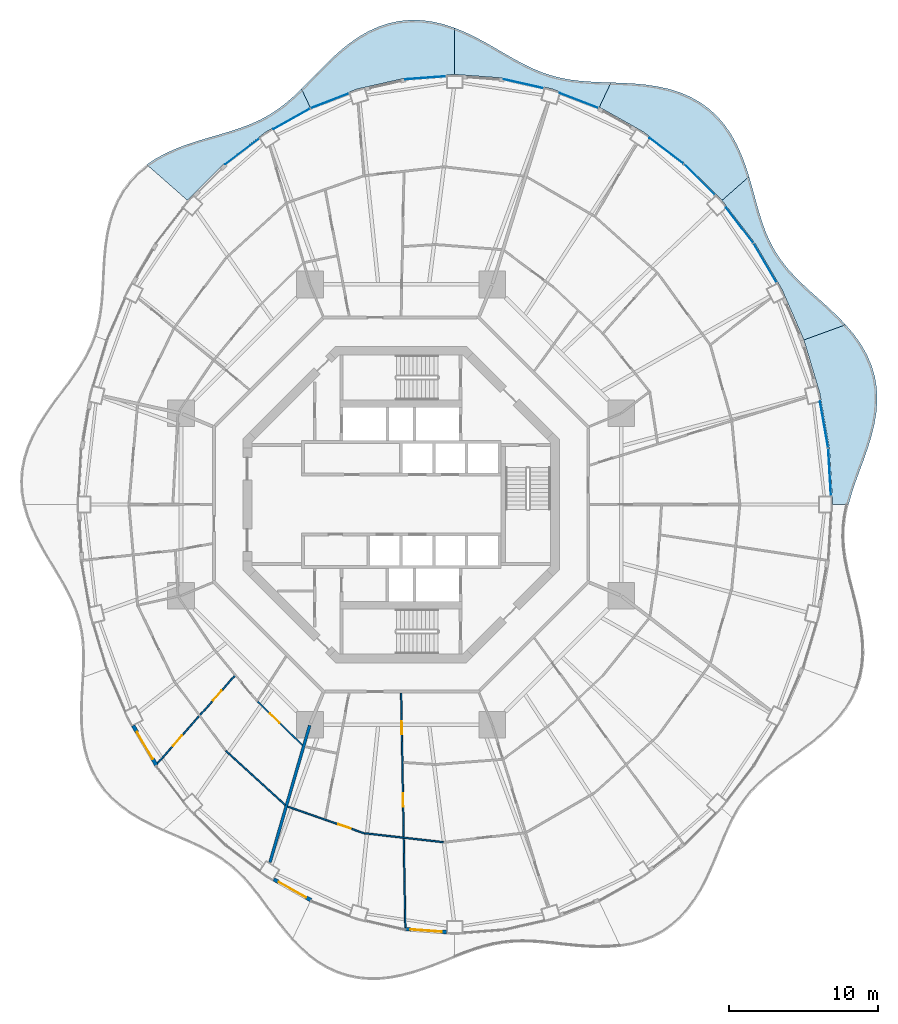
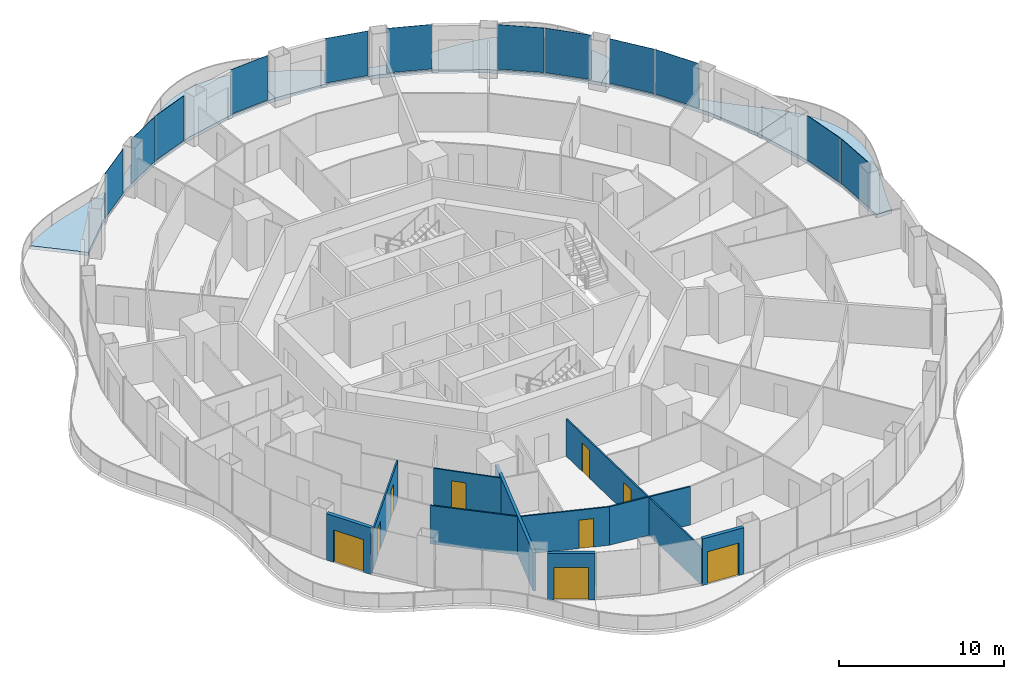
# One storey, part 10 of 19: 12 plates, 10 walls, 9 doors, 6 slabs, 9 openings, 12 elements without a shape of their own.
"""IFC4 building model written with IfcOpenShell, lengths in metres."""

import ifcopenshell
import ifcopenshell.guid

model = None  # the IFC model being written
_history = None  # IfcOwnerHistory: only IFC2X3 demands one
_inside = {}  # id of a spatial element -> (the spatial element, [elements in it])
_under = {}  # id of a project, library or spatial element -> (it, [spatial elements below it])
_declared = {}  # id of a project -> (the project, [libraries it declares])
_typed = {}  # id of a type object -> (the type object, [elements of that type])
_made_of = {}  # id of a material, layer set ... -> (it, [elements and type objects made of it])


def new_model(schema):
    """Start an empty IFC model of exactly this schema.

    Asked for "IFC4X3", IfcOpenShell would pick the latest addendum, in which some entities
    have other attributes; the version numbers below select the first issue.
    IFC2X3 requires an IfcOwnerHistory on every rooted entity: one is made here for all.
    """
    global model, _history
    if schema == "IFC4X3":
        model = ifcopenshell.file(schema_version=(4, 3, 0, 0))
    else:
        model = ifcopenshell.file(schema=schema)
    _inside.clear()
    _under.clear()
    _declared.clear()
    _typed.clear()
    _made_of.clear()
    _history = None
    if model.schema == "IFC2X3":
        org = make("IfcOrganization", Name="unknown")
        user = make(
            "IfcPersonAndOrganization",
            ThePerson=make("IfcPerson", FamilyName="unknown"),
            TheOrganization=org,
        )
        app = make(
            "IfcApplication",
            ApplicationDeveloper=org,
            Version="unknown",
            ApplicationFullName="unknown",
            ApplicationIdentifier="unknown",
        )
        _history = make(
            "IfcOwnerHistory",
            OwningUser=user,
            OwningApplication=app,
            ChangeAction="ADDED",
            CreationDate=0,
        )
    return model


def make(cls, **values):
    """One entity of the class cls with the attributes given. An attribute that is None is left unset."""
    return model.create_entity(
        cls, **{name: value for name, value in values.items() if value is not None}
    )


def rooted(cls, **values):
    """An entity with a GlobalId (a new one), such as an element, a storey or a relation."""
    return make(cls, GlobalId=ifcopenshell.guid.new(), OwnerHistory=_history, **values)


def si_unit(unit_type, name, prefix=None):
    """IfcSIUnit, for example si_unit("LENGTHUNIT", "METRE", prefix="MILLI")."""
    return make("IfcSIUnit", UnitType=unit_type, Prefix=prefix, Name=name)


def assignment(units):
    """IfcUnitAssignment: the units of a project."""
    return None if units is None else make("IfcUnitAssignment", Units=units)


def point(xyz):
    """IfcCartesianPoint."""
    return None if xyz is None else make("IfcCartesianPoint", Coordinates=xyz)


def direction(xyz):
    """IfcDirection."""
    return None if xyz is None else make("IfcDirection", DirectionRatios=xyz)


def frame(location, z_axis=None, x_axis=None):
    """IfcAxis2Placement3D, a coordinate frame: its origin and axes. An axis left out is left unset."""
    return make(
        "IfcAxis2Placement3D",
        Location=point(location),
        Axis=direction(z_axis),
        RefDirection=direction(x_axis),
    )


def frame_2d(location, x_axis=None):
    """IfcAxis2Placement2D, a coordinate frame in the plane: its origin and x axis."""
    return make(
        "IfcAxis2Placement2D", Location=point(location), RefDirection=direction(x_axis)
    )


def origin():
    """The frame at (0, 0, 0) with its axes left unset."""
    return frame((0.0, 0.0, 0.0))


def origin_2d():
    """The frame at (0, 0) in the plane with its x axis left unset."""
    return frame_2d((0.0, 0.0))


def place(relative_to, where):
    """IfcLocalPlacement: puts the frame where relative to a parent placement (None: the world)."""
    return make(
        "IfcLocalPlacement", PlacementRelTo=relative_to, RelativePlacement=where
    )


def context(
    kind, dimensions, precision=None, world=None, true_north=None, identifier=None
):
    """IfcGeometricRepresentationContext, for example the 3D "Model" context."""
    return make(
        "IfcGeometricRepresentationContext",
        ContextIdentifier=identifier,
        ContextType=kind,
        CoordinateSpaceDimension=dimensions,
        Precision=precision,
        WorldCoordinateSystem=world,
        TrueNorth=true_north,
    )


def subcontext(parent, identifier, kind, view, scale=None):
    """IfcGeometricRepresentationSubContext, for example "Body" below "Model"."""
    return make(
        "IfcGeometricRepresentationSubContext",
        ContextIdentifier=identifier,
        ContextType=kind,
        ParentContext=parent,
        TargetScale=scale,
        TargetView=view,
    )


def project(units=None, contexts=None):
    """IfcProject with its units and contexts."""
    return rooted(
        "IfcProject",
        Name="project",
        RepresentationContexts=contexts,
        UnitsInContext=assignment(units),
    )


def spatial(cls, under=None, at=None, **own):
    """A site, building, storey or space (cls), placed at a placement, below another one or the project."""
    s = rooted(cls, ObjectPlacement=at, **own)
    if under is not None:
        _under.setdefault(under.id(), (under, []))[1].append(s)
    return s


def polyline(points):
    """IfcPolyline through the points."""
    return make("IfcPolyline", Points=[point(p) for p in points])


def profile(cls, at=None, kind="AREA", **sizes):
    """A parametric profile (cls). Its sizes go by their IFC names, for example OverallWidth=200.0."""
    return make(cls, ProfileType=kind, Position=at, **sizes)


def rectangle(**sizes):
    """IfcRectangleProfileDef."""
    return profile("IfcRectangleProfileDef", **sizes)


def outline(outer, holes=None, kind="AREA"):
    """IfcArbitraryClosedProfileDef: a profile drawn as a closed curve; with holes, ...WithVoids."""
    if holes is None:
        return make("IfcArbitraryClosedProfileDef", ProfileType=kind, OuterCurve=outer)
    return make(
        "IfcArbitraryProfileDefWithVoids",
        ProfileType=kind,
        OuterCurve=outer,
        InnerCurves=holes,
    )


def extrude(swept, where, along, depth):
    """IfcExtrudedAreaSolid: the profile swept, set in the frame where, extruded along a direction by depth."""
    return make(
        "IfcExtrudedAreaSolid",
        SweptArea=swept,
        Position=where,
        ExtrudedDirection=direction(along),
        Depth=depth,
    )


def shape(context_of_items, identifier, shape_type, items):
    """IfcShapeRepresentation: the items that make up one representation, for example the "Body"."""
    return make(
        "IfcShapeRepresentation",
        ContextOfItems=context_of_items,
        RepresentationIdentifier=identifier,
        RepresentationType=shape_type,
        Items=items,
    )


def material(Name=None, Category=None):
    """IfcMaterial."""
    return make("IfcMaterial", Name=Name, Category=Category)


def layer(
    of_material, thickness, ventilated=None, Name=None, Category=None, Priority=None
):
    """IfcMaterialLayer: one layer of a wall or slab, of a material (None: an air gap)."""
    return make(
        "IfcMaterialLayer",
        Material=of_material,
        LayerThickness=thickness,
        IsVentilated=ventilated,
        Name=Name,
        Category=Category,
        Priority=Priority,
    )


def layer_set(layers, Name=None):
    """IfcMaterialLayerSet."""
    return make("IfcMaterialLayerSet", MaterialLayers=layers, LayerSetName=Name)


def made_of(thing, what):
    """Note that an element or type object is made of a material, layer set ...; save() writes the relation."""
    if what is not None:
        _made_of.setdefault(what.id(), (what, []))[1].append(thing)
    return thing


def type_object(cls, material=None, **own):
    """A type object (cls), such as IfcWallType, which elements share."""
    return made_of(rooted(cls, **own), material)


def element(
    cls,
    number,
    at=None,
    inside=None,
    cuts=None,
    type_object=None,
    material=None,
    context=None,
    identifier="Body",
    shape_type=None,
    held_by="IfcProductDefinitionShape",
    body=None,
    shapes=None,
    **own,
):
    """One element of the class cls, such as IfcWall. Its Tag is "e" and its number.

    at: its placement. inside: the storey or other place that contains it. cuts: it is an
    opening in that element (IfcRelVoidsElement). A single representation is given by context,
    identifier, shape_type and body (its items); several are given by shapes. held_by: the class
    of the entity that holds the representations. save() writes the other relations.
    """
    e = rooted(cls, Tag="e%d" % number, ObjectPlacement=at, **own)
    if body is not None:
        shapes = [shape(context, identifier, shape_type, body)]
    if shapes is not None:
        e.Representation = make(held_by, Representations=shapes)
    if inside is not None:
        _inside.setdefault(inside.id(), (inside, []))[1].append(e)
    if cuts is not None:
        rooted(
            "IfcRelVoidsElement", RelatingBuildingElement=cuts, RelatedOpeningElement=e
        )
    if type_object is not None:
        _typed.setdefault(type_object.id(), (type_object, []))[1].append(e)
    return made_of(e, material)


def fill(opening, filler):
    """IfcRelFillsElement: the door or window that sits in an opening."""
    return rooted(
        "IfcRelFillsElement",
        RelatingOpeningElement=opening,
        RelatedBuildingElement=filler,
    )


def aggregate(whole, parts):
    """IfcRelAggregates: a whole, such as a stair, and the parts it consists of."""
    return rooted("IfcRelAggregates", RelatingObject=whole, RelatedObjects=parts)


def save(model, path):
    """Write the relations noted so far, then the file.

    IfcRelAggregates (storeys below a building ...), IfcRelContainedInSpatialStructure (elements
    in a storey), IfcRelDefinesByType, IfcRelAssociatesMaterial and IfcRelDeclares: one each for
    every whole, place, type object, material and project.
    """
    for whole, parts in _under.values():
        aggregate(whole, parts)
    for where, things in _inside.values():
        rooted(
            "IfcRelContainedInSpatialStructure",
            RelatedElements=things,
            RelatingStructure=where,
        )
    for kind, things in _typed.values():
        rooted("IfcRelDefinesByType", RelatedObjects=things, RelatingType=kind)
    for what, things in _made_of.values():
        rooted("IfcRelAssociatesMaterial", RelatedObjects=things, RelatingMaterial=what)
    for by, libraries in _declared.values():
        rooted("IfcRelDeclares", RelatingContext=by, RelatedDefinitions=libraries)
    model.write(path)


model = new_model("IFC4")

# Units and contexts
model_context = context("Model", 3, precision=1e-05, world=origin(), true_north=direction((0.0, 1.0)))
body_context = subcontext(model_context, "Body", "Model", "MODEL_VIEW")
ifc_project = project(units=[si_unit("LENGTHUNIT", "METRE"), si_unit("AREAUNIT", "SQUARE_METRE"), si_unit("VOLUMEUNIT", "CUBIC_METRE"), si_unit("PLANEANGLEUNIT", "RADIAN"), si_unit("MASSUNIT", "GRAM", prefix="KILO")], contexts=[model_context])

# Site, building, storey
site_placement = place(None, origin())
site = spatial("IfcSite", under=ifc_project, at=site_placement, CompositionType="ELEMENT")
building_placement = place(site_placement, origin())
building = spatial("IfcBuilding", under=site, at=building_placement, Name="Nagisa Residences", CompositionType="ELEMENT")
storey_placement = place(building_placement, frame((0.0, 0.0, 169.60009765625)))
storey = spatial("IfcBuildingStorey", under=building, at=storey_placement, Name="L42", CompositionType="ELEMENT", Elevation=169.60009765625)

# Slabs
ifc_material_1 = material(Name="Concrete C40/50", Category="concrete")
ifc_layer_1 = layer(ifc_material_1, 0.25)
ifc_layer_set_1 = layer_set([ifc_layer_1], Name="BALCONY SLAB 250")
slab_type = type_object("IfcSlabType", Name="BALCONY SLAB 250", PredefinedType="FLOOR", material=ifc_layer_set_1)
slab_1_placement = place(storey_placement, frame((0.0, 0.0, -0.25)))
element("IfcSlab", 1, at=slab_1_placement, inside=storey, type_object=slab_type, Name="slab:L42:bal00", PredefinedType="FLOOR", context=body_context, shape_type="SweptSolid", body=[
    extrude(outline(polyline([(30.039306640625, 0.0), (30.2451171875, 0.73193359375), (30.4931640625, 1.475341796875), (30.768310546875, 2.232421875), (31.052978515625, 3.00439453125), (31.327880859375, 3.79052734375), (31.57373046875, 4.588623046875), (31.77197265625, 5.394775390625), (31.906005859375, 6.20361328125), (31.9619140625, 7.009521484375), (31.92919921875, 7.805908203125), (31.80224609375, 8.585693359375), (31.578857421875, 9.34326171875), (31.262451171875, 10.072998046875), (30.860107421875, 10.771728515625), (30.3828125, 11.437255859375), (29.844970703125, 12.06982421875), (27.04345703125, 11.050048828125), (28.1103515625, 7.473388671875), (28.7578125, 3.76904296875), (28.97509765625, 0.0), (30.039306640625, 0.0)])), origin(), (0.0, 0.0, 1.0), 0.25),
])
slab_2_placement = place(storey_placement, frame((0.0, 0.0, -0.25)))
element("IfcSlab", 2, at=slab_2_placement, inside=storey, type_object=slab_type, Name="slab:L42:bal01", PredefinedType="FLOOR", context=body_context, shape_type="SweptSolid", body=[
    extrude(outline(polyline([(29.844970703125, 12.06982421875), (29.28173828125, 12.653564453125), (28.693603515625, 13.21240234375), (28.097412109375, 13.752197265625), (27.50927734375, 14.27978515625), (26.943359375, 14.80322265625), (26.412109375, 15.331298828125), (25.924560546875, 15.8720703125), (25.487060546875, 16.43359375), (25.101806640625, 17.02197265625), (24.767333984375, 17.642822265625), (24.478515625, 18.298095703125), (24.2275390625, 18.98876953125), (24.003173828125, 19.7119140625), (23.793212890625, 20.462646484375), (23.583251953125, 21.233154296875), (23.359375, 22.013916015625), (21.542724609375, 20.417724609375), (23.7314453125, 17.577880859375), (25.575439453125, 14.4375), (27.04345703125, 11.050048828125), (29.844970703125, 12.06982421875)])), origin(), (0.0, 0.0, 1.0), 0.25),
])
slab_3_placement = place(storey_placement, frame((0.0, 0.0, -0.25)))
element("IfcSlab", 3, at=slab_3_placement, inside=storey, type_object=slab_type, Name="slab:L42:bal02", PredefinedType="FLOOR", context=body_context, shape_type="SweptSolid", body=[
    extrude(outline(polyline([(23.359375, 22.013916015625), (23.119873046875, 22.757080078125), (22.84423828125, 23.487548828125), (22.52294921875, 24.194091796875), (22.14892578125, 24.865478515625), (21.717041015625, 25.490478515625), (21.2255859375, 26.060302734375), (20.674560546875, 26.567138671875), (20.067138671875, 27.005615234375), (19.40869140625, 27.373291015625), (18.706298828125, 27.670654296875), (17.96875, 27.900390625), (17.205810546875, 28.06884765625), (16.427001953125, 28.1845703125), (15.642333984375, 28.25830078125), (14.86083984375, 28.30224609375), (14.08984375, 28.330322265625), (13.310546875, 26.677001953125), (16.28759765625, 25.006591796875), (19.04736328125, 22.907958984375), (21.542724609375, 20.417724609375), (23.359375, 22.013916015625)])), origin(), (0.0, 0.0, 1.0), 0.25),
])
slab_4_placement = place(storey_placement, frame((0.0, 0.0, -0.25)))
element("IfcSlab", 4, at=slab_4_placement, inside=storey, type_object=slab_type, Name="slab:L42:bal03", PredefinedType="FLOOR", context=body_context, shape_type="SweptSolid", body=[
    extrude(outline(polyline([(14.08984375, 28.330322265625), (13.362548828125, 28.354736328125), (12.654541015625, 28.38916015625), (11.967529296875, 28.4443359375), (11.3017578125, 28.530029296875), (10.65576171875, 28.653564453125), (10.026123046875, 28.820068359375), (9.40869140625, 29.031494140625), (8.79833984375, 29.28759765625), (8.189453125, 29.584228515625), (7.57666015625, 29.915283203125), (6.954833984375, 30.271728515625), (6.3193359375, 30.64208984375), (5.667236328125, 31.013671875), (4.99658203125, 31.373046875), (4.30712890625, 31.70556640625), (3.60009765625, 31.99755859375), (3.60009765625, 28.875), (6.912109375, 28.6279296875), (10.16748046875, 27.89111328125), (13.310546875, 26.677001953125), (14.08984375, 28.330322265625)])), origin(), (0.0, 0.0, 1.0), 0.25),
])
slab_5_placement = place(storey_placement, frame((0.0, 0.0, -0.25)))
element("IfcSlab", 5, at=slab_5_placement, inside=storey, type_object=slab_type, Name="slab:L42:bal04", PredefinedType="FLOOR", context=body_context, shape_type="SweptSolid", body=[
    extrude(outline(polyline([(3.60009765625, 31.99755859375), (2.8779296875, 32.236083984375), (2.14501953125, 32.41015625), (1.40625, 32.510498046875), (0.66748046875, 32.53076171875), (-0.06494140625, 32.467041015625), (-0.78515625, 32.3193359375), (-1.4873046875, 32.08984375), (-2.16650390625, 31.7841796875), (-2.819580078125, 31.41064453125), (-3.4443359375, 30.9794921875), (-4.040283203125, 30.502685546875), (-4.608642578125, 29.99365234375), (-5.152587890625, 29.466064453125), (-5.676513671875, 28.93310546875), (-6.18603515625, 28.407958984375), (-6.687744140625, 27.901611328125), (-6.110595703125, 26.677001953125), (-2.967529296875, 27.89111328125), (0.287841796875, 28.6279296875), (3.60009765625, 28.875), (3.60009765625, 31.99755859375)])), origin(), (0.0, 0.0, 1.0), 0.25),
])
slab_6_placement = place(storey_placement, frame((0.0, 0.0, -0.25)))
element("IfcSlab", 6, at=slab_6_placement, inside=storey, type_object=slab_type, Name="slab:L42:bal05", PredefinedType="FLOOR", context=body_context, shape_type="SweptSolid", body=[
    extrude(outline(polyline([(-6.687744140625, 27.901611328125), (-7.2080078125, 27.40625), (-7.73583984375, 26.94921875), (-8.279052734375, 26.53564453125), (-8.84423828125, 26.167236328125), (-9.436279296875, 25.8427734375), (-10.05859375, 25.558349609375), (-10.7119140625, 25.306884765625), (-11.395263671875, 25.079833984375), (-12.104736328125, 24.8662109375), (-12.833740234375, 24.65478515625), (-13.57470703125, 24.433837890625), (-14.317138671875, 24.19140625), (-15.050537109375, 23.917236328125), (-15.7626953125, 23.60205078125), (-16.442138671875, 23.238525390625), (-17.077880859375, 22.8212890625), (-14.3427734375, 20.417724609375), (-11.847412109375, 22.907958984375), (-9.08740234375, 25.006591796875), (-6.110595703125, 26.677001953125), (-6.687744140625, 27.901611328125)])), origin(), (0.0, 0.0, 1.0), 0.25),
])

# Curtain wall, plate
ifc_material_2 = material(Name="Concrete-coloured aluminium curtain wall system", Category="concrete")
ifc_layer_2 = layer(ifc_material_2, 0.159912109375)
ifc_layer_set_2 = layer_set([ifc_layer_2], Name="CW1 CURTAIN WALL")
curtain_wall_type = type_object("IfcCurtainWallType", Name="CW1 CURTAIN WALL", PredefinedType="NOTDEFINED", material=ifc_layer_set_2)
curtain_wall_1_placement = place(storey_placement, origin())
curtain_wall_1 = element("IfcCurtainWall", 7, at=curtain_wall_1_placement, inside=storey, type_object=curtain_wall_type, Name="cw:CW1:L42:00", PredefinedType="NOTDEFINED")
ifc_material_3 = material(Name="Clear laminated glass", Category="glass")
ifc_layer_3 = layer(ifc_material_3, 0.028076171875)
ifc_layer_set_3 = layer_set([ifc_layer_3], Name="CW1 GLASS PANEL")
plate_type = type_object("IfcPlateType", Name="CW1 GLASS PANEL", PredefinedType="CURTAIN_PANEL", material=ifc_layer_set_3)
plate_1_placement = place(storey_placement, frame((28.76904296875, 2.184326171875, 0.14990234375), z_axis=(0.0, 0.0, 1.0), x_axis=(-0.057503492216, 0.998345305184, 0.0)))
plate_1 = element("IfcPlate", 8, at=plate_1_placement, type_object=plate_type, Name="CW1 panel", PredefinedType="CURTAIN_PANEL", context=body_context, shape_type="SweptSolid", body=[
    extrude(rectangle(XDim=3.165283203125, YDim=0.028076171875, at=origin_2d()), origin(), (0.0, 0.0, 1.0), 3.2900390625),
])
aggregate(curtain_wall_1, [plate_1])

curtain_wall_2_placement = place(storey_placement, origin())
curtain_wall_2 = element("IfcCurtainWall", 9, at=curtain_wall_2_placement, inside=storey, type_object=curtain_wall_type, Name="cw:CW1:L42:01", PredefinedType="NOTDEFINED")
plate_2_placement = place(storey_placement, frame((28.3974609375, 5.365966796875, 0.14990234375), z_axis=(0.0, 0.0, 1.0), x_axis=(-0.172190868898, 0.985063604377, 0.0)))
plate_2 = element("IfcPlate", 10, at=plate_2_placement, type_object=plate_type, Name="CW1 panel", PredefinedType="CURTAIN_PANEL", context=body_context, shape_type="SweptSolid", body=[
    extrude(rectangle(XDim=3.150634765625, YDim=0.028076171875, at=origin_2d()), origin(), (0.0, 0.0, 1.0), 3.2900390625),
])
aggregate(curtain_wall_2, [plate_2])

curtain_wall_3_placement = place(storey_placement, origin())
curtain_wall_3 = element("IfcCurtainWall", 11, at=curtain_wall_3_placement, inside=storey, type_object=curtain_wall_type, Name="cw:CW1:L42:04", PredefinedType="NOTDEFINED")
plate_3_placement = place(storey_placement, frame((24.429931640625, 16.230224609375, 0.14990234375), z_axis=(0.0, 0.0, 1.0), x_axis=(-0.506348567002, 0.862328898214, 0.0)))
plate_3 = element("IfcPlate", 12, at=plate_3_placement, type_object=plate_type, Name="CW1 panel", PredefinedType="CURTAIN_PANEL", context=body_context, shape_type="SweptSolid", body=[
    extrude(rectangle(XDim=3.031982421875, YDim=0.028076171875, at=origin_2d()), origin(), (0.0, 0.0, 1.0), 3.2900390625),
])
aggregate(curtain_wall_3, [plate_3])

curtain_wall_4_placement = place(storey_placement, origin())
curtain_wall_4 = element("IfcCurtainWall", 13, at=curtain_wall_4_placement, inside=storey, type_object=curtain_wall_type, Name="cw:CW1:L42:05", PredefinedType="NOTDEFINED")
plate_4_placement = place(storey_placement, frame((22.723388671875, 18.7548828125, 0.14990234375), z_axis=(0.0, 0.0, 1.0), x_axis=(-0.610429828235, 0.792070340816, 0.0)))
plate_4 = element("IfcPlate", 14, at=plate_4_placement, type_object=plate_type, Name="CW1 panel", PredefinedType="CURTAIN_PANEL", context=body_context, shape_type="SweptSolid", body=[
    extrude(rectangle(XDim=2.97509765625, YDim=0.028076171875, at=origin_2d()), origin(), (0.0, 0.0, 1.0), 3.2900390625),
])
aggregate(curtain_wall_4, [plate_4])

curtain_wall_5_placement = place(storey_placement, origin())
curtain_wall_5 = element("IfcCurtainWall", 15, at=curtain_wall_5_placement, inside=storey, type_object=curtain_wall_type, Name="cw:CW1:L42:06", PredefinedType="NOTDEFINED")
plate_5_placement = place(storey_placement, frame((20.022705078125, 21.82177734375, 0.14990234375), z_axis=(0.0, 0.0, 1.0), x_axis=(-0.707835924016, 0.706376885714, 0.0)))
plate_5 = element("IfcPlate", 16, at=plate_5_placement, type_object=plate_type, Name="CW1 panel", PredefinedType="CURTAIN_PANEL", context=body_context, shape_type="SweptSolid", body=[
    extrude(rectangle(XDim=2.91552734375, YDim=0.028076171875, at=origin_2d()), origin(), (0.0, 0.0, 1.0), 3.2900390625),
])
aggregate(curtain_wall_5, [plate_5])

curtain_wall_6_placement = place(storey_placement, origin())
curtain_wall_6 = element("IfcCurtainWall", 17, at=curtain_wall_6_placement, inside=storey, type_object=curtain_wall_type, Name="cw:CW1:L42:07", PredefinedType="NOTDEFINED")
plate_6_placement = place(storey_placement, frame((17.81396484375, 23.745361328125, 0.14990234375), z_axis=(0.0, 0.0, 1.0), x_axis=(-0.79603132756, 0.605255421737, 0.0)))
plate_6 = element("IfcPlate", 18, at=plate_6_placement, type_object=plate_type, Name="CW1 panel", PredefinedType="CURTAIN_PANEL", context=body_context, shape_type="SweptSolid", body=[
    extrude(rectangle(XDim=2.85693359375, YDim=0.028076171875, at=origin_2d()), origin(), (0.0, 0.0, 1.0), 3.2900390625),
])
aggregate(curtain_wall_6, [plate_6])

curtain_wall_7_placement = place(storey_placement, origin())
curtain_wall_7 = element("IfcCurtainWall", 19, at=curtain_wall_7_placement, inside=storey, type_object=curtain_wall_type, Name="cw:CW1:L42:09", PredefinedType="NOTDEFINED")
plate_7_placement = place(storey_placement, frame((11.938720703125, 27.12109375, 0.14990234375), z_axis=(0.0, 0.0, 1.0), x_axis=(-0.932825759707, 0.360327770268, 0.0)))
plate_7 = element("IfcPlate", 20, at=plate_7_placement, type_object=plate_type, Name="CW1 panel", PredefinedType="CURTAIN_PANEL", context=body_context, shape_type="SweptSolid", body=[
    extrude(rectangle(XDim=2.75927734375, YDim=0.028076171875, at=origin_2d()), origin(), (0.0, 0.0, 1.0), 3.2900390625),
])
aggregate(curtain_wall_7, [plate_7])

curtain_wall_8_placement = place(storey_placement, origin())
curtain_wall_8 = element("IfcCurtainWall", 21, at=curtain_wall_8_placement, inside=storey, type_object=curtain_wall_type, Name="cw:CW1:L42:10", PredefinedType="NOTDEFINED")
plate_8_placement = place(storey_placement, frame((8.224609375, 28.248779296875, 0.14990234375), z_axis=(0.0, 0.0, 1.0), x_axis=(-0.975327274089, 0.2207639201, 0.0)))
plate_8 = element("IfcPlate", 22, at=plate_8_placement, type_object=plate_type, Name="CW1 panel", PredefinedType="CURTAIN_PANEL", context=body_context, shape_type="SweptSolid", body=[
    extrude(rectangle(XDim=2.727783203125, YDim=0.028076171875, at=origin_2d()), origin(), (0.0, 0.0, 1.0), 3.2900390625),
])
aggregate(curtain_wall_8, [plate_8])

curtain_wall_9_placement = place(storey_placement, origin())
curtain_wall_9 = element("IfcCurtainWall", 23, at=curtain_wall_9_placement, inside=storey, type_object=curtain_wall_type, Name="cw:CW1:L42:12", PredefinedType="NOTDEFINED")
plate_9_placement = place(storey_placement, frame((1.645751953125, 28.64892578125, 0.14990234375), z_axis=(0.0, 0.0, 1.0), x_axis=(-0.997230168512, -0.074377355493, 0.0)))
plate_9 = element("IfcPlate", 24, at=plate_9_placement, type_object=plate_type, Name="CW1 panel", PredefinedType="CURTAIN_PANEL", context=body_context, shape_type="SweptSolid", body=[
    extrude(rectangle(XDim=2.711181640625, YDim=0.028076171875, at=origin_2d()), origin(), (0.0, 0.0, 1.0), 3.2900390625),
])
aggregate(curtain_wall_9, [plate_9])

curtain_wall_10_placement = place(storey_placement, origin())
curtain_wall_10 = element("IfcCurtainWall", 25, at=curtain_wall_10_placement, inside=storey, type_object=curtain_wall_type, Name="cw:CW1:L42:14", PredefinedType="NOTDEFINED")
plate_10_placement = place(storey_placement, frame((-4.794677734375, 27.099609375, 0.14990234375), z_axis=(0.0, 0.0, 1.0), x_axis=(-0.932825759707, -0.360327770268, 0.0)))
plate_10 = element("IfcPlate", 26, at=plate_10_placement, type_object=plate_type, Name="CW1 panel", PredefinedType="CURTAIN_PANEL", context=body_context, shape_type="SweptSolid", body=[
    extrude(rectangle(XDim=2.75927734375, YDim=0.028076171875, at=origin_2d()), origin(), (0.0, 0.0, 1.0), 3.2900390625),
])
aggregate(curtain_wall_10, [plate_10])

curtain_wall_11_placement = place(storey_placement, origin())
curtain_wall_11 = element("IfcCurtainWall", 27, at=curtain_wall_11_placement, inside=storey, type_object=curtain_wall_type, Name="cw:CW1:L42:15", PredefinedType="NOTDEFINED")
plate_11_placement = place(storey_placement, frame((-7.34619140625, 25.891845703125, 0.14990234375), z_axis=(0.0, 0.0, 1.0), x_axis=(-0.872072377523, -0.489376918501, 0.0)))
plate_11 = element("IfcPlate", 28, at=plate_11_placement, type_object=plate_type, Name="CW1 panel", PredefinedType="CURTAIN_PANEL", context=body_context, shape_type="SweptSolid", body=[
    extrude(rectangle(XDim=2.8037109375, YDim=0.028076171875, at=origin_2d()), origin(), (0.0, 0.0, 1.0), 3.2900390625),
])
aggregate(curtain_wall_11, [plate_11])

curtain_wall_12_placement = place(storey_placement, origin())
curtain_wall_12 = element("IfcCurtainWall", 29, at=curtain_wall_12_placement, inside=storey, type_object=curtain_wall_type, Name="cw:CW1:L42:16", PredefinedType="NOTDEFINED")
plate_12_placement = place(storey_placement, frame((-10.661865234375, 23.708984375, 0.14990234375), z_axis=(0.0, 0.0, 1.0), x_axis=(-0.79603132756, -0.605255421737, 0.0)))
plate_12 = element("IfcPlate", 30, at=plate_12_placement, type_object=plate_type, Name="CW1 panel", PredefinedType="CURTAIN_PANEL", context=body_context, shape_type="SweptSolid", body=[
    extrude(rectangle(XDim=2.85693359375, YDim=0.028076171875, at=origin_2d()), origin(), (0.0, 0.0, 1.0), 3.2900390625),
])
aggregate(curtain_wall_12, [plate_12])

# Wall
ifc_material_4 = material(Name="Gypsum board on steel studs", Category="steel")
ifc_layer_4 = layer(ifc_material_4, 0.199951171875)
ifc_layer_set_4 = layer_set([ifc_layer_4], Name="Apartment compartment wall EI60 200")
wall_type_1 = type_object("IfcWallType", Name="Apartment compartment wall EI60 200", PredefinedType="PARTITIONING", material=ifc_layer_set_4)
wall_1_placement = place(storey_placement, frame((-6.136962890625, -14.830078125, 0.0), z_axis=(0.0, 0.0, 1.0), x_axis=(-0.278461169897, -0.96044748782, 0.0)))
element("IfcWall", 31, at=wall_1_placement, inside=storey, type_object=wall_type_1, Name="wall:L42:u05", PredefinedType="PARTITIONING", context=body_context, shape_type="SweptSolid", body=[
    extrude(rectangle(XDim=9.5732421875, YDim=0.199951171875, at=frame_2d((4.78662109375, 0.0))), origin(), (0.0, 0.0, 1.0), 2.8369140625),
])

# Wall, openings, doors
ifc_material_5 = material(Name="Gypsum board on steel studs", Category="steel")
ifc_layer_5 = layer(ifc_material_5, 0.10009765625)
ifc_layer_set_5 = layer_set([ifc_layer_5], Name="Apartment partition 100")
wall_type_2 = type_object("IfcWallType", Name="Apartment partition 100", PredefinedType="PARTITIONING", material=ifc_layer_set_5)
wall_2_placement = place(storey_placement, frame((-11.16015625, -11.485107421875, 0.0), z_axis=(0.0, 0.0, 1.0), x_axis=(-0.661275898802, -0.750142776852, 0.0)))
wall_2 = element("IfcWall", 32, at=wall_2_placement, inside=storey, type_object=wall_type_2, Name="wall:L42:u66", PredefinedType="PARTITIONING", context=body_context, shape_type="SweptSolid", body=[
    extrude(rectangle(XDim=8.08251953125, YDim=0.10009765625, at=frame_2d((4.041259765625, 0.0))), origin(), (0.0, 0.0, 1.0), 2.90478515625),
])
opening_1_placement = place(wall_2_placement, frame((5.38232421875, 0.0, 0.0)))
opening_1 = element("IfcOpeningElement", 33, at=opening_1_placement, cuts=wall_2, Name="Opening L42-U35", PredefinedType="OPENING", context=body_context, shape_type="SweptSolid", body=[
    extrude(rectangle(XDim=0.89990234375, YDim=2.10009765625, at=frame_2d((0.449951171875, 1.050048828125))), frame((0.0, 0.06005859375, 0.0), z_axis=(0.0, -1.0, 0.0), x_axis=(1.0, 0.0, 0.0)), (0.0, 0.0, 1.0), 0.1201171875),
])
opening_2_placement = place(wall_2_placement, frame((1.34130859375, 0.0, 0.0)))
opening_2 = element("IfcOpeningElement", 34, at=opening_2_placement, cuts=wall_2, Name="Opening L42-U37", PredefinedType="OPENING", context=body_context, shape_type="SweptSolid", body=[
    extrude(rectangle(XDim=0.89990234375, YDim=2.10009765625, at=frame_2d((0.449951171875, 1.050048828125))), frame((0.0, 0.06005859375, 0.0), z_axis=(0.0, -1.0, 0.0), x_axis=(1.0, 0.0, 0.0)), (0.0, 0.0, 1.0), 0.1201171875),
])
ifc_material_6 = material(Name="Timber door set", Category="wood")
door_type_1 = type_object("IfcDoorType", Name="Apartment door 900x2100", OperationType="NOTDEFINED", PredefinedType="DOOR", material=ifc_material_6)
door_1_placement = place(opening_1_placement, origin())
door_1 = element("IfcDoor", 35, at=door_1_placement, inside=storey, type_object=door_type_1, Name="Door to master bedroom, Apartment 42C", OperationType="SINGLE_SWING_LEFT", OverallHeight=2.10009765625, OverallWidth=0.89990234375, PredefinedType="DOOR", context=body_context, shape_type="SweptSolid", body=[
    extrude(rectangle(XDim=0.89990234375, YDim=2.10009765625, at=frame_2d((0.449951171875, 1.050048828125))), frame((0.0, 0.02490234375, 0.0), z_axis=(0.0, -1.0, 0.0), x_axis=(1.0, 0.0, 0.0)), (0.0, 0.0, 1.0), 0.050048828125),
])
fill(opening_1, door_1)
door_2_placement = place(opening_2_placement, origin())
door_2 = element("IfcDoor", 36, at=door_2_placement, inside=storey, type_object=door_type_1, Name="Door to kitchen, Apartment 42C", OperationType="SINGLE_SWING_LEFT", OverallHeight=2.10009765625, OverallWidth=0.89990234375, PredefinedType="DOOR", context=body_context, shape_type="SweptSolid", body=[
    extrude(rectangle(XDim=0.89990234375, YDim=2.10009765625, at=frame_2d((0.449951171875, 1.050048828125))), frame((0.0, 0.02490234375, 0.0), z_axis=(0.0, -1.0, 0.0), x_axis=(1.0, 0.0, 0.0)), (0.0, 0.0, 1.0), 0.050048828125),
])
fill(opening_2, door_2)

# Wall, opening, door
wall_3_placement = place(storey_placement, frame((-9.62744140625, -13.238037109375, 0.0), z_axis=(0.0, 0.0, 1.0), x_axis=(0.716919058692, -0.697156412352, 0.0)))
wall_3 = element("IfcWall", 37, at=wall_3_placement, inside=storey, type_object=wall_type_2, Name="wall:L42:u68", PredefinedType="PARTITIONING", context=body_context, shape_type="SweptSolid", body=[
    extrude(rectangle(XDim=4.2001953125, YDim=0.10009765625, at=frame_2d((2.10009765625, 0.0))), origin(), (0.0, 0.0, 1.0), 2.8369140625),
])
opening_3_placement = place(wall_3_placement, frame((1.130126953125, 0.0, 0.0)))
opening_3 = element("IfcOpeningElement", 38, at=opening_3_placement, cuts=wall_3, Name="Opening L42-U39", PredefinedType="OPENING", context=body_context, shape_type="SweptSolid", body=[
    extrude(rectangle(XDim=0.89990234375, YDim=2.10009765625, at=frame_2d((0.449951171875, 1.050048828125))), frame((0.0, 0.06005859375, 0.0), z_axis=(0.0, -1.0, 0.0), x_axis=(1.0, 0.0, 0.0)), (0.0, 0.0, 1.0), 0.1201171875),
])
door_3_placement = place(opening_3_placement, origin())
door_3 = element("IfcDoor", 39, at=door_3_placement, inside=storey, type_object=door_type_1, Name="Door to laundry, Apartment 42C", OperationType="SINGLE_SWING_LEFT", OverallHeight=2.10009765625, OverallWidth=0.89990234375, PredefinedType="DOOR", context=body_context, shape_type="SweptSolid", body=[
    extrude(rectangle(XDim=0.89990234375, YDim=2.10009765625, at=frame_2d((0.449951171875, 1.050048828125))), frame((0.0, 0.02490234375, 0.0), z_axis=(0.0, -1.0, 0.0), x_axis=(1.0, 0.0, 0.0)), (0.0, 0.0, 1.0), 0.050048828125),
])
fill(opening_3, door_3)

# Wall
wall_4_placement = place(storey_placement, frame((-11.765625, -16.534912109375, 0.0), z_axis=(0.0, 0.0, 1.0), x_axis=(0.73807320557, -0.674720640872, 0.0)))
element("IfcWall", 40, at=wall_4_placement, inside=storey, type_object=wall_type_2, Name="wall:L42:u69", PredefinedType="PARTITIONING", context=body_context, shape_type="SweptSolid", body=[
    extrude(rectangle(XDim=5.39892578125, YDim=0.10009765625, at=frame_2d((2.699462890625, 0.0))), origin(), (0.0, 0.0, 1.0), 2.8369140625),
])

# Wall, opening, door
wall_5_placement = place(storey_placement, frame((-7.612548828125, -20.2783203125, 0.0), z_axis=(0.0, 0.0, 1.0), x_axis=(0.943918212431, -0.330179357684, 0.0)))
wall_5 = element("IfcWall", 41, at=wall_5_placement, inside=storey, type_object=wall_type_2, Name="wall:L42:u71", PredefinedType="PARTITIONING", context=body_context, shape_type="SweptSolid", body=[
    extrude(rectangle(XDim=5.46728515625, YDim=0.10009765625, at=frame_2d((2.733642578125, 0.0))), origin(), (0.0, 0.0, 1.0), 2.8369140625),
])
opening_4_placement = place(wall_5_placement, frame((3.587890625, 0.0, 0.0)))
opening_4 = element("IfcOpeningElement", 42, at=opening_4_placement, cuts=wall_5, Name="Opening L42-U49", PredefinedType="OPENING", context=body_context, shape_type="SweptSolid", body=[
    extrude(rectangle(XDim=0.89990234375, YDim=2.10009765625, at=frame_2d((0.449951171875, 1.050048828125))), frame((0.0, 0.06005859375, 0.0), z_axis=(0.0, -1.0, 0.0), x_axis=(1.0, 0.0, 0.0)), (0.0, 0.0, 1.0), 0.1201171875),
])
door_4_placement = place(opening_4_placement, frame((0.89990234375, 0.0, 0.0), x_axis=(-1.0, 0.0, 0.0)))
door_4 = element("IfcDoor", 43, at=door_4_placement, inside=storey, type_object=door_type_1, Name="Door to master bedroom, Apartment 42D", OperationType="SINGLE_SWING_RIGHT", OverallHeight=2.10009765625, OverallWidth=0.89990234375, PredefinedType="DOOR", context=body_context, shape_type="SweptSolid", body=[
    extrude(rectangle(XDim=0.89990234375, YDim=2.10009765625, at=frame_2d((0.449951171875, 1.050048828125))), frame((0.0, 0.02490234375, 0.0), z_axis=(0.0, -1.0, 0.0), x_axis=(1.0, 0.0, 0.0)), (0.0, 0.0, 1.0), 0.050048828125),
])
fill(opening_4, door_4)

# Wall
wall_6_placement = place(storey_placement, frame((-2.449462890625, -22.07275390625, 0.0), z_axis=(0.0, 0.0, 1.0), x_axis=(0.993660315081, -0.112424099879, 0.0)))
element("IfcWall", 44, at=wall_6_placement, inside=storey, type_object=wall_type_2, Name="wall:L42:u73", PredefinedType="PARTITIONING", context=body_context, shape_type="SweptSolid", body=[
    extrude(rectangle(XDim=5.32470703125, YDim=0.10009765625, at=frame_2d((2.662353515625, 0.0))), origin(), (0.0, 0.0, 1.0), 2.8369140625),
])

# Wall, openings, doors
wall_7_placement = place(storey_placement, frame((0.001708984375, -12.664794921875, 0.0), z_axis=(0.0, 0.0, 1.0), x_axis=(0.01792079652, -0.999839409631, 0.0)))
wall_7 = element("IfcWall", 45, at=wall_7_placement, inside=storey, type_object=wall_type_2, Name="wall:L42:u74", PredefinedType="PARTITIONING", context=body_context, shape_type="SweptSolid", body=[
    extrude(rectangle(XDim=15.925537109375, YDim=0.10009765625, at=frame_2d((7.962890625, 0.0))), origin(), (0.0, 0.0, 1.0), 2.755859375),
])
opening_5_placement = place(wall_7_placement, frame((1.873291015625, 0.0, 0.0)))
opening_5 = element("IfcOpeningElement", 46, at=opening_5_placement, cuts=wall_7, Name="Opening L42-U42", PredefinedType="OPENING", context=body_context, shape_type="SweptSolid", body=[
    extrude(rectangle(XDim=0.89990234375, YDim=2.10009765625, at=frame_2d((0.449951171875, 1.050048828125))), frame((0.0, 0.06005859375, 0.0), z_axis=(0.0, -1.0, 0.0), x_axis=(1.0, 0.0, 0.0)), (0.0, 0.0, 1.0), 0.1201171875),
])
opening_6_placement = place(wall_7_placement, frame((6.727783203125, 0.0, 0.0)))
opening_6 = element("IfcOpeningElement", 47, at=opening_6_placement, cuts=wall_7, Name="Opening L42-U46", PredefinedType="OPENING", context=body_context, shape_type="SweptSolid", body=[
    extrude(rectangle(XDim=0.89990234375, YDim=2.10009765625, at=frame_2d((0.449951171875, 1.050048828125))), frame((0.0, 0.06005859375, 0.0), z_axis=(0.0, -1.0, 0.0), x_axis=(1.0, 0.0, 0.0)), (0.0, 0.0, 1.0), 0.1201171875),
])
door_5_placement = place(opening_5_placement, origin())
door_5 = element("IfcDoor", 48, at=door_5_placement, inside=storey, type_object=door_type_1, Name="Door to store, Apartment 42D", OperationType="SINGLE_SWING_RIGHT", OverallHeight=2.10009765625, OverallWidth=0.89990234375, PredefinedType="DOOR", context=body_context, shape_type="SweptSolid", body=[
    extrude(rectangle(XDim=0.89990234375, YDim=2.10009765625, at=frame_2d((0.449951171875, 1.050048828125))), frame((0.0, 0.02490234375, 0.0), z_axis=(0.0, -1.0, 0.0), x_axis=(1.0, 0.0, 0.0)), (0.0, 0.0, 1.0), 0.050048828125),
])
fill(opening_5, door_5)
door_6_placement = place(opening_6_placement, origin())
door_6 = element("IfcDoor", 49, at=door_6_placement, inside=storey, type_object=door_type_1, Name="Door to kitchen, Apartment 42D", OperationType="SINGLE_SWING_RIGHT", OverallHeight=2.10009765625, OverallWidth=0.89990234375, PredefinedType="DOOR", context=body_context, shape_type="SweptSolid", body=[
    extrude(rectangle(XDim=0.89990234375, YDim=2.10009765625, at=frame_2d((0.449951171875, 1.050048828125))), frame((0.0, 0.02490234375, 0.0), z_axis=(0.0, -1.0, 0.0), x_axis=(1.0, 0.0, 0.0)), (0.0, 0.0, 1.0), 0.050048828125),
])
fill(opening_6, door_6)

# Wall, opening, door
ifc_material_7 = material(Name="Precast concrete C40/50", Category="concrete")
ifc_layer_6 = layer(ifc_material_7, 0.25)
ifc_layer_set_6 = layer_set([ifc_layer_6], Name="BALCONY DOOR WALL 250")
wall_type_3 = type_object("IfcWallType", Name="BALCONY DOOR WALL 250", PredefinedType="SOLIDWALL", material=ifc_layer_set_6)
wall_8_placement = place(storey_placement, frame((-16.423583984375, -17.5146484375, 0.0), z_axis=(0.0, 0.0, 1.0), x_axis=(-0.506309086483, 0.862352079458, 0.0)))
wall_8 = element("IfcWall", 50, at=wall_8_placement, inside=storey, type_object=wall_type_3, Name="wall:L42:bay28", PredefinedType="SOLIDWALL", context=body_context, shape_type="SweptSolid", body=[
    extrude(rectangle(XDim=3.091796875, YDim=0.25, at=frame_2d((1.5458984375, 0.0))), origin(), (0.0, 0.0, 1.0), 3.43994140625),
])
opening_7_placement = place(wall_8_placement, frame((0.495849609375, 0.0, 0.0)))
opening_7 = element("IfcOpeningElement", 51, at=opening_7_placement, cuts=wall_8, Name="Opening BD-L42-10", PredefinedType="OPENING", context=body_context, shape_type="SweptSolid", body=[
    extrude(rectangle(XDim=2.10009765625, YDim=2.39990234375, at=frame_2d((1.050048828125, 1.199951171875))), frame((0.0, 0.135009765625, 0.0), z_axis=(0.0, -1.0, 0.0), x_axis=(1.0, 0.0, 0.0)), (0.0, 0.0, 1.0), 0.27001953125),
])
ifc_material_8 = material(Name="Aluminium and clear glass", Category="aluminium")
door_type_2 = type_object("IfcDoorType", Name="BALCONY SLIDING DOOR 2100x2400", OperationType="SLIDING_TO_LEFT", PredefinedType="DOOR", material=ifc_material_8)
door_7_placement = place(opening_7_placement, origin())
door_7 = element("IfcDoor", 52, at=door_7_placement, inside=storey, type_object=door_type_2, Name="door:L42:bay28", OperationType="SLIDING_TO_LEFT", OverallHeight=2.39990234375, OverallWidth=2.10009765625, PredefinedType="DOOR", context=body_context, shape_type="SweptSolid", body=[
    extrude(rectangle(XDim=2.10009765625, YDim=2.39990234375, at=frame_2d((1.050048828125, 1.199951171875))), frame((0.0, 0.02490234375, 0.0), z_axis=(0.0, -1.0, 0.0), x_axis=(1.0, 0.0, 0.0)), (0.0, 0.0, 1.0), 0.050048828125),
])
fill(opening_7, door_7)

wall_9_placement = place(storey_placement, frame((-6.04931640625, -26.568115234375, 0.0), z_axis=(0.0, 0.0, 1.0), x_axis=(-0.872078262455, 0.489366431371, 0.0)))
wall_9 = element("IfcWall", 53, at=wall_9_placement, inside=storey, type_object=wall_type_3, Name="wall:L42:bay32", PredefinedType="SOLIDWALL", context=body_context, shape_type="SweptSolid", body=[
    extrude(rectangle(XDim=2.863525390625, YDim=0.25, at=frame_2d((1.431640625, 0.0))), origin(), (0.0, 0.0, 1.0), 3.43994140625),
])
opening_8_placement = place(wall_9_placement, frame((0.3818359375, 0.0, 0.0)))
opening_8 = element("IfcOpeningElement", 54, at=opening_8_placement, cuts=wall_9, Name="Opening BD-L42-11", PredefinedType="OPENING", context=body_context, shape_type="SweptSolid", body=[
    extrude(rectangle(XDim=2.10009765625, YDim=2.39990234375, at=frame_2d((1.050048828125, 1.199951171875))), frame((0.0, 0.135009765625, 0.0), z_axis=(0.0, -1.0, 0.0), x_axis=(1.0, 0.0, 0.0)), (0.0, 0.0, 1.0), 0.27001953125),
])
door_8_placement = place(opening_8_placement, origin())
door_8 = element("IfcDoor", 55, at=door_8_placement, inside=storey, type_object=door_type_2, Name="door:L42:bay32", OperationType="SLIDING_TO_LEFT", OverallHeight=2.39990234375, OverallWidth=2.10009765625, PredefinedType="DOOR", context=body_context, shape_type="SweptSolid", body=[
    extrude(rectangle(XDim=2.10009765625, YDim=2.39990234375, at=frame_2d((1.050048828125, 1.199951171875))), frame((0.0, 0.02490234375, 0.0), z_axis=(0.0, -1.0, 0.0), x_axis=(1.0, 0.0, 0.0)), (0.0, 0.0, 1.0), 0.050048828125),
])
fill(opening_8, door_8)

wall_10_placement = place(storey_placement, frame((3.060791015625, -28.70947265625, 0.0), z_axis=(0.0, 0.0, 1.0), x_axis=(-0.997232064422, 0.074351931305, 0.0)))
wall_10 = element("IfcWall", 56, at=wall_10_placement, inside=storey, type_object=wall_type_3, Name="wall:L42:bay35", PredefinedType="SOLIDWALL", context=body_context, shape_type="SweptSolid", body=[
    extrude(rectangle(XDim=2.771240234375, YDim=0.25, at=frame_2d((1.3857421875, 0.0))), origin(), (0.0, 0.0, 1.0), 3.43994140625),
])
opening_9_placement = place(wall_10_placement, frame((0.335693359375, 0.0, 0.0)))
opening_9 = element("IfcOpeningElement", 57, at=opening_9_placement, cuts=wall_10, Name="Opening BD-L42-12", PredefinedType="OPENING", context=body_context, shape_type="SweptSolid", body=[
    extrude(rectangle(XDim=2.10009765625, YDim=2.39990234375, at=frame_2d((1.050048828125, 1.199951171875))), frame((0.0, 0.135009765625, 0.0), z_axis=(0.0, -1.0, 0.0), x_axis=(1.0, 0.0, 0.0)), (0.0, 0.0, 1.0), 0.27001953125),
])
door_9_placement = place(opening_9_placement, origin())
door_9 = element("IfcDoor", 58, at=door_9_placement, inside=storey, type_object=door_type_2, Name="door:L42:bay35", OperationType="SLIDING_TO_LEFT", OverallHeight=2.39990234375, OverallWidth=2.10009765625, PredefinedType="DOOR", context=body_context, shape_type="SweptSolid", body=[
    extrude(rectangle(XDim=2.10009765625, YDim=2.39990234375, at=frame_2d((1.050048828125, 1.199951171875))), frame((0.0, 0.02490234375, 0.0), z_axis=(0.0, -1.0, 0.0), x_axis=(1.0, 0.0, 0.0)), (0.0, 0.0, 1.0), 0.050048828125),
])
fill(opening_9, door_9)

save(model, "model.ifc")
